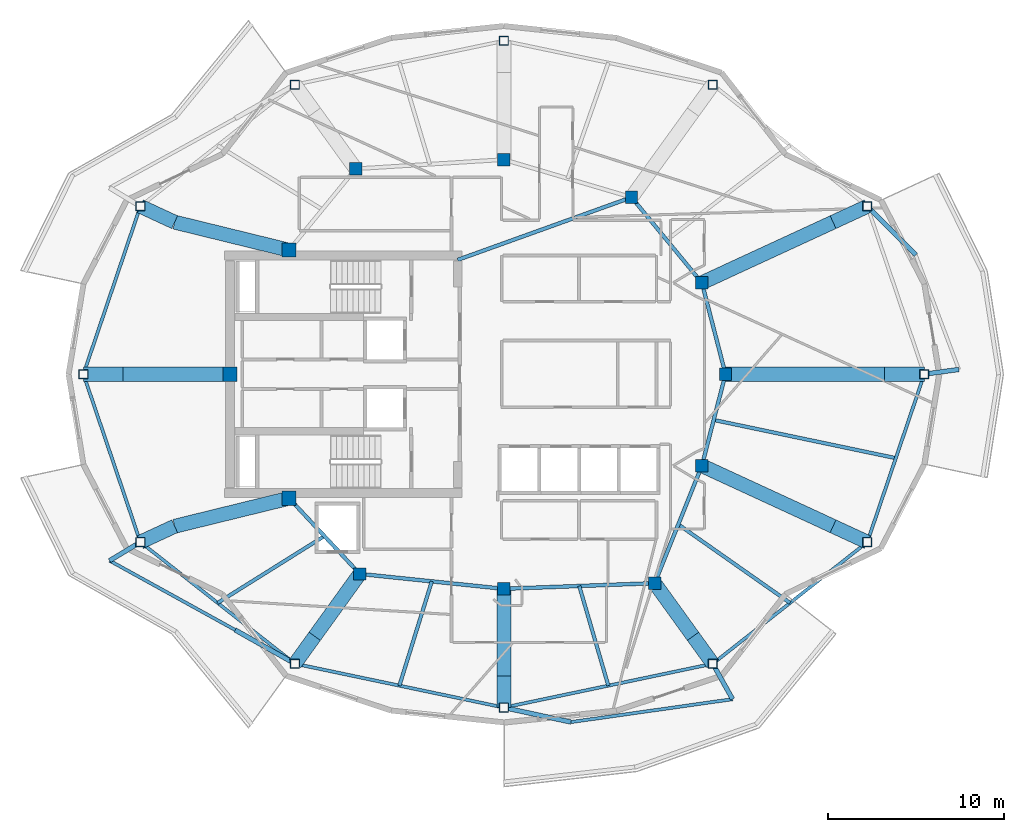
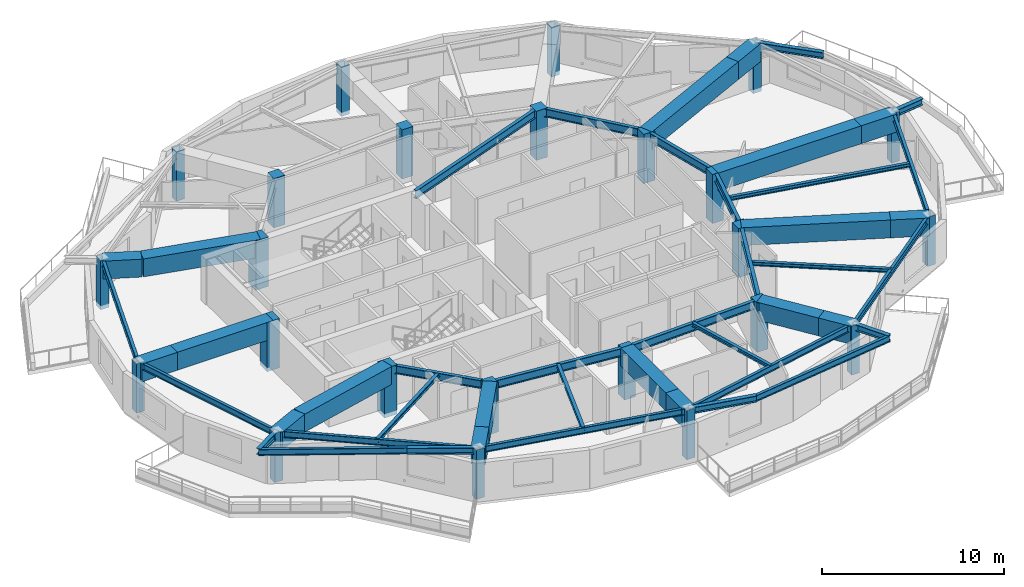
# One storey, part 1 of 11: 46 beams, 24 columns.
"""IFC4 building model written with IfcOpenShell, lengths in metres."""

from ifc_helpers import new_model, si_unit, direction, frame, origin, origin_2d, place, context, subcontext, project, spatial, rectangle, hollow_rectangle, i_section, extrude, material, material_profile, profile_set, type_object, element, save


model = new_model("IFC4")

# Units and contexts
model_context = context("Model", 3, precision=1e-05, world=origin(), true_north=direction((0.0, 1.0)))
body_context = subcontext(model_context, "Body", "Model", "MODEL_VIEW")
ifc_project = project(units=[si_unit("LENGTHUNIT", "METRE"), si_unit("AREAUNIT", "SQUARE_METRE"), si_unit("VOLUMEUNIT", "CUBIC_METRE"), si_unit("PLANEANGLEUNIT", "RADIAN"), si_unit("MASSUNIT", "GRAM", prefix="KILO")], contexts=[model_context])

# Site, building, storey
site_placement = place(None, origin())
site = spatial("IfcSite", under=ifc_project, at=site_placement, CompositionType="ELEMENT")
building_placement = place(site_placement, origin())
building = spatial("IfcBuilding", under=site, at=building_placement, Name="Kolvaren Gate Tower and Convention Centre", CompositionType="ELEMENT")
storey_placement = place(building_placement, frame((0.0, 0.0, 236.0)))
storey = spatial("IfcBuildingStorey", under=building, at=storey_placement, Name="L63", CompositionType="ELEMENT", Elevation=236.0)

# Columns
ifc_material_1 = material(Name="Structural steel ASTM A500 Grade C 345 MPa", Category="steel")
ifc_material_profile_1 = material_profile(ifc_material_1, hollow_rectangle(XDim=0.508056640625, YDim=0.508056640625, WallThickness=0.01904296875, at=origin_2d()), Name="HSS508X508X19.1")
ifc_profile_set_1 = profile_set([ifc_material_profile_1], Name="Structural steel ASTM A500 Grade C 345 MPa")
column_type_1 = type_object("IfcColumnType", Name="STR-COL-HSS508", PredefinedType="COLUMN", material=ifc_profile_set_1)
for number, where, z_axis, x_axis, name in (
    (1, (54.02490234375, 27.0, -0.27001953125), (0.0, 0.0, 1.0), (1.0, 0.0, 0.0), "Tower L63 Perimeter Supercolumn TP-01"),
    (2, (50.787353515625, 36.543701171875, -0.27001953125), (0.0, 0.0, 1.0), (1.0, 0.0, 0.0), "Tower L63 Perimeter Supercolumn TP-02"),
    (3, (42.002685546875, 43.4580078125, -0.27001953125), (0.0, 0.0, 1.0), (1.0, 0.0, 0.0), "Tower L63 Perimeter Supercolumn TP-03"),
    (4, (30.125, 45.949951171875, -0.27001953125), (0.0, 0.0, 1.0), (1.0, 0.0, 0.0), "Tower L63 Perimeter Supercolumn TP-04"),
    (5, (18.247314453125, 43.4580078125, -0.27001953125), (0.0, 0.0, 1.0), (1.0, 0.0, 0.0), "Tower L63 Perimeter Supercolumn TP-05"),
    (6, (9.462646484375, 36.543701171875, -0.27001953125), (0.0, 0.0, 1.0), (1.0, 0.0, 0.0), "Tower L63 Perimeter Supercolumn TP-06"),
    (7, (6.22509765625, 27.0, -0.27001953125), (0.0, 0.0, 1.0), (1.0, 0.0, 0.0), "Tower L63 Perimeter Supercolumn TP-07"),
    (8, (9.462646484375, 17.456298828125, -0.27001953125), (0.0, 0.0, 1.0), (1.0, 0.0, 0.0), "Tower L63 Perimeter Supercolumn TP-08"),
    (9, (18.247314453125, 10.5419921875, -0.27001953125), (0.0, 0.0, 1.0), (1.0, 0.0, 0.0), "Tower L63 Perimeter Supercolumn TP-09"),
    (10, (30.125, 8.050048828125, -0.27001953125), (0.0, 0.0, 1.0), (1.0, 0.0, 0.0), "Tower L63 Perimeter Supercolumn TP-10"),
    (11, (42.002685546875, 10.5419921875, -0.27001953125), (0.0, 0.0, 1.0), (1.0, 0.0, 0.0), "Tower L63 Perimeter Supercolumn TP-11"),
    (12, (50.787353515625, 17.456298828125, -0.27001953125), (0.0, 0.0, 1.0), (1.0, 0.0, 0.0), "Tower L63 Perimeter Supercolumn TP-12"),
):
    element("IfcColumn", number, at=place(storey_placement, frame(where, z_axis=z_axis, x_axis=x_axis)), inside=storey, type_object=column_type_1, Name=name, PredefinedType="COLUMN", context=body_context, shape_type="SweptSolid", body=[
        extrude(hollow_rectangle(XDim=0.508056640625, YDim=0.508056640625, WallThickness=0.01904296875, at=origin_2d()), origin(), (0.0, 0.0, 1.0), 3.300048828125),
    ])
ifc_material_2 = material(Name="Concrete C50/60", Category="concrete")
ifc_material_profile_2 = material_profile(ifc_material_2, rectangle(XDim=0.699951171875, YDim=0.699951171875, at=origin_2d()), Name="RC-COL-700X700")
ifc_profile_set_2 = profile_set([ifc_material_profile_2], Name="Concrete C50/60")
column_type_2 = type_object("IfcColumnType", Name="STR-COL-RC700", PredefinedType="COLUMN", material=ifc_profile_set_2)
for number, where, z_axis, x_axis, name in (
    (13, (42.72509765625, 27.0, -0.27001953125), (0.0, 0.0, 1.0), (1.0, 0.0, 0.0), "Tower L63 Interior Column TI-01"),
    (14, (41.382080078125, 32.199462890625, -0.27001953125), (0.0, 0.0, 1.0), (1.0, 0.0, 0.0), "Tower L63 Interior Column TI-02"),
    (15, (37.381591796875, 37.054931640625, -0.27001953125), (0.0, 0.0, 1.0), (1.0, 0.0, 0.0), "Tower L63 Interior Column TI-03"),
    (16, (30.125, 39.199951171875, -0.27001953125), (0.0, 0.0, 1.0), (1.0, 0.0, 0.0), "Tower L63 Interior Column TI-04"),
    (17, (21.697998046875, 38.6767578125, -0.27001953125), (0.0, 0.0, 1.0), (1.0, 0.0, 0.0), "Tower L63 Interior Column TI-05"),
    (18, (21.93212890625, 15.647705078125, -0.27001953125), (0.0, 0.0, 1.0), (1.0, 0.0, 0.0), "Tower L63 Interior Column TI-06"),
    (19, (30.125, 14.800048828125, -0.27001953125), (0.0, 0.0, 1.0), (1.0, 0.0, 0.0), "Tower L63 Interior Column TI-07"),
    (20, (38.6982421875, 15.12060546875, -0.27001953125), (0.0, 0.0, 1.0), (1.0, 0.0, 0.0), "Tower L63 Interior Column TI-08"),
    (21, (41.382080078125, 21.800537109375, -0.27001953125), (0.0, 0.0, 1.0), (1.0, 0.0, 0.0), "Tower L63 Interior Column TI-09"),
):
    element("IfcColumn", number, at=place(storey_placement, frame(where, z_axis=z_axis, x_axis=x_axis)), inside=storey, type_object=column_type_2, Name=name, PredefinedType="COLUMN", context=body_context, shape_type="SweptSolid", body=[
        extrude(rectangle(XDim=0.699951171875, YDim=0.699951171875, at=origin_2d()), origin(), (0.0, 0.0, 1.0), 3.300048828125),
    ])
ifc_material_3 = material(Name="Concrete C60/75", Category="concrete")
ifc_material_profile_3 = material_profile(ifc_material_3, rectangle(XDim=0.800048828125, YDim=0.800048828125, at=origin_2d()), Name="RC-COL-800X800")
ifc_profile_set_3 = profile_set([ifc_material_profile_3], Name="Concrete C60/75")
column_type_3 = type_object("IfcColumnType", Name="STR-PIL-RC800", PredefinedType="PILASTER", material=ifc_profile_set_3)
for number, where, z_axis, x_axis, name in (
    (22, (17.9140625, 34.050048828125, -0.27001953125), (0.0, 0.0, 1.0), (1.0, 0.0, 0.0), "Tower L63 Core Boundary Pilaster TC-05"),
    (23, (14.550048828125, 27.0, -0.27001953125), (0.0, 0.0, 1.0), (1.0, 0.0, 0.0), "Tower L63 Core Boundary Pilaster TC-06"),
    (24, (17.9140625, 19.949951171875, -0.27001953125), (0.0, 0.0, 1.0), (1.0, 0.0, 0.0), "Tower L63 Core Boundary Pilaster TC-07"),
):
    element("IfcColumn", number, at=place(storey_placement, frame(where, z_axis=z_axis, x_axis=x_axis)), inside=storey, type_object=column_type_3, Name=name, PredefinedType="PILASTER", context=body_context, shape_type="SweptSolid", body=[
        extrude(rectangle(XDim=0.800048828125, YDim=0.800048828125, at=origin_2d()), origin(), (0.0, 0.0, 1.0), 3.300048828125),
    ])

# Beams
ifc_material_4 = material(Name="Structural steel ASTM A992 Grade 345 MPa", Category="steel")
ifc_material_profile_4 = material_profile(ifc_material_4, i_section(OverallWidth=0.260009765625, OverallDepth=0.419921875, WebThickness=0.013427734375, FlangeThickness=0.0224609375, at=origin_2d()), Name="W410X132")
ifc_profile_set_4 = profile_set([ifc_material_profile_4], Name="Structural steel ASTM A992 Grade 345 MPa")
beam_type_1 = type_object("IfcBeamType", Name="STR-BM-W410X132", PredefinedType="BEAM", material=ifc_profile_set_4)
beam_1_placement = place(storey_placement, frame((9.462646484375, 17.456298828125, 2.820556640625), z_axis=(-0.856606413085, -0.515970399404, 0.0), x_axis=(0.515970399404, -0.856606413085, 0.0)))
element("IfcBeam", 25, at=beam_1_placement, inside=storey, type_object=beam_type_1, Name="Tower L64 Planted Balcony Outrigger Cantilever BC-2A", PredefinedType="BEAM", context=body_context, shape_type="SweptSolid", body=[
    extrude(i_section(OverallWidth=0.260009765625, OverallDepth=0.419921875, WebThickness=0.013427734375, FlangeThickness=0.0224609375, at=origin_2d()), origin(), (0.0, 0.0, 1.0), 2.044189453125),
])
for number, where, z_axis, x_axis, name in (
    (26, (18.247314453125, 10.5419921875, 2.820556640625), (-0.870602477688, 0.491987119591, 0.0), (-0.491987119591, -0.870602477688, 0.0), "Tower L64 Planted Balcony Outrigger Cantilever BC-2B"),
    (27, (30.125, 8.050048828125, 2.820556640625), (0.977317957634, -0.211777264327, 0.0), (0.211777264327, 0.977317957634, 0.0), "Tower L64 Planted Balcony Outrigger Cantilever BC-3A"),
):
    element("IfcBeam", number, at=place(storey_placement, frame(where, z_axis=z_axis, x_axis=x_axis)), inside=storey, type_object=beam_type_1, Name=name, PredefinedType="BEAM", context=body_context, shape_type="SweptSolid", body=[
        extrude(i_section(OverallWidth=0.260009765625, OverallDepth=0.419921875, WebThickness=0.013427734375, FlangeThickness=0.0224609375, at=origin_2d()), origin(), (0.0, 0.0, 1.0), 3.89990234375),
    ])
beam_2_placement = place(storey_placement, frame((42.002685546875, 10.5419921875, 2.820556640625), z_axis=(0.486639864816, -0.873602679696, 0.0), x_axis=(0.873602679696, 0.486639864816, 0.0)))
element("IfcBeam", 28, at=beam_2_placement, inside=storey, type_object=beam_type_1, Name="Tower L64 Planted Balcony Outrigger Cantilever BC-3B", PredefinedType="BEAM", context=body_context, shape_type="SweptSolid", body=[
    extrude(i_section(OverallWidth=0.260009765625, OverallDepth=0.419921875, WebThickness=0.013427734375, FlangeThickness=0.0224609375, at=origin_2d()), origin(), (0.0, 0.0, 1.0), 2.307373046875),
])
beam_3_placement = place(storey_placement, frame((54.02490234375, 27.0, 2.820556640625), z_axis=(0.990617109747, 0.13666653532, 0.0), x_axis=(-0.13666653532, 0.990617109747, 0.0)))
element("IfcBeam", 29, at=beam_3_placement, inside=storey, type_object=beam_type_1, Name="Tower L64 Planted Balcony Outrigger Cantilever BC-4A", PredefinedType="BEAM", context=body_context, shape_type="SweptSolid", body=[
    extrude(i_section(OverallWidth=0.260009765625, OverallDepth=0.419921875, WebThickness=0.013427734375, FlangeThickness=0.0224609375, at=origin_2d()), origin(), (0.0, 0.0, 1.0), 1.984619140625),
])
beam_4_placement = place(storey_placement, frame((50.787353515625, 36.543701171875, 2.820556640625), z_axis=(0.70541462065, -0.70879490191, 0.0), x_axis=(0.70879490191, 0.70541462065, 0.0)))
element("IfcBeam", 30, at=beam_4_placement, inside=storey, type_object=beam_type_1, Name="Tower L64 Planted Balcony Outrigger Cantilever BC-4B", PredefinedType="BEAM", context=body_context, shape_type="SweptSolid", body=[
    extrude(i_section(OverallWidth=0.260009765625, OverallDepth=0.419921875, WebThickness=0.013427734375, FlangeThickness=0.0224609375, at=origin_2d()), origin(), (0.0, 0.0, 1.0), 3.900146484375),
])
ifc_material_profile_5 = material_profile(ifc_material_4, i_section(OverallWidth=0.2119140625, OverallDepth=0.5439453125, WebThickness=0.01318359375, FlangeThickness=0.021240234375, at=origin_2d()), Name="W530X123")
ifc_profile_set_5 = profile_set([ifc_material_profile_5], Name="Structural steel ASTM A992 Grade 345 MPa")
beam_type_2 = type_object("IfcBeamType", Name="STR-BM-W530X123", PredefinedType="BEAM", material=ifc_profile_set_5)
beam_5_placement = place(storey_placement, frame((42.72509765625, 27.0, 2.758056640625), z_axis=(-0.250091133936, -0.968222301296, 0.0), x_axis=(0.968222301296, -0.250091133936, 0.0)))
element("IfcBeam", 31, at=beam_5_placement, inside=storey, type_object=beam_type_2, Name="Tower L63 Primary Ring Girder G-01", PredefinedType="BEAM", context=body_context, shape_type="SweptSolid", body=[
    extrude(i_section(OverallWidth=0.2119140625, OverallDepth=0.5439453125, WebThickness=0.01318359375, FlangeThickness=0.021240234375, at=origin_2d()), origin(), (0.0, 0.0, 1.0), 5.3701171875),
])
beam_6_placement = place(storey_placement, frame((41.382080078125, 32.199462890625, 2.758056640625), z_axis=(-0.635884066011, 0.771784590798, 0.0), x_axis=(-0.771784590798, -0.635884066011, 0.0)))
element("IfcBeam", 32, at=beam_6_placement, inside=storey, type_object=beam_type_2, Name="Tower L63 Primary Ring Girder G-02", PredefinedType="BEAM", context=body_context, shape_type="SweptSolid", body=[
    extrude(i_section(OverallWidth=0.2119140625, OverallDepth=0.5439453125, WebThickness=0.01318359375, FlangeThickness=0.021240234375, at=origin_2d()), origin(), (0.0, 0.0, 1.0), 6.291259765625),
])
beam_7_placement = place(storey_placement, frame((17.9140625, 19.949951171875, 2.758056640625), z_axis=(0.682557592987, -0.730831808459, 0.0), x_axis=(0.730831808459, 0.682557592987, 0.0)))
element("IfcBeam", 33, at=beam_7_placement, inside=storey, type_object=beam_type_2, Name="Tower L63 Primary Ring Girder G-06", PredefinedType="BEAM", context=body_context, shape_type="SweptSolid", body=[
    extrude(i_section(OverallWidth=0.2119140625, OverallDepth=0.5439453125, WebThickness=0.01318359375, FlangeThickness=0.021240234375, at=origin_2d()), origin(), (0.0, 0.0, 1.0), 5.88671875),
])
beam_8_placement = place(storey_placement, frame((21.93212890625, 15.647705078125, 2.758056640625), z_axis=(0.994690329115, -0.102913308978, 0.0), x_axis=(0.102913308978, 0.994690329115, 0.0)))
element("IfcBeam", 34, at=beam_8_placement, inside=storey, type_object=beam_type_2, Name="Tower L63 Primary Ring Girder G-07", PredefinedType="BEAM", context=body_context, shape_type="SweptSolid", body=[
    extrude(i_section(OverallWidth=0.2119140625, OverallDepth=0.5439453125, WebThickness=0.01318359375, FlangeThickness=0.021240234375, at=origin_2d()), origin(), (0.0, 0.0, 1.0), 8.236572265625),
])
beam_9_placement = place(storey_placement, frame((30.125, 14.800048828125, 2.758056640625), z_axis=(0.999301712453, 0.037364254142, 0.0), x_axis=(-0.037364254142, 0.999301712453, 0.0)))
element("IfcBeam", 35, at=beam_9_placement, inside=storey, type_object=beam_type_2, Name="Tower L63 Primary Ring Girder G-08", PredefinedType="BEAM", context=body_context, shape_type="SweptSolid", body=[
    extrude(i_section(OverallWidth=0.2119140625, OverallDepth=0.5439453125, WebThickness=0.01318359375, FlangeThickness=0.021240234375, at=origin_2d()), origin(), (0.0, 0.0, 1.0), 8.579345703125),
])
beam_10_placement = place(storey_placement, frame((38.6982421875, 15.12060546875, 2.758056640625), z_axis=(0.372811100169, 0.927907260232, 0.0), x_axis=(-0.927907260232, 0.372811100169, 0.0)))
element("IfcBeam", 36, at=beam_10_placement, inside=storey, type_object=beam_type_2, Name="Tower L63 Primary Ring Girder G-09", PredefinedType="BEAM", context=body_context, shape_type="SweptSolid", body=[
    extrude(i_section(OverallWidth=0.2119140625, OverallDepth=0.5439453125, WebThickness=0.01318359375, FlangeThickness=0.021240234375, at=origin_2d()), origin(), (0.0, 0.0, 1.0), 7.198974609375),
])
beam_11_placement = place(storey_placement, frame((27.5, 33.5, 2.758056640625), z_axis=(0.940961479908, 0.338513653093, 0.0), x_axis=(-0.338513653093, 0.940961479908, 0.0)))
element("IfcBeam", 37, at=beam_11_placement, inside=storey, type_object=beam_type_2, Name="Tower L63 Primary Ring Girder G-10", PredefinedType="BEAM", context=body_context, shape_type="SweptSolid", body=[
    extrude(i_section(OverallWidth=0.2119140625, OverallDepth=0.5439453125, WebThickness=0.01318359375, FlangeThickness=0.021240234375, at=origin_2d()), origin(), (0.0, 0.0, 1.0), 10.501708984375),
])
beam_12_placement = place(storey_placement, frame((42.72509765625, 27.0, 2.758056640625), z_axis=(-0.250091133936, 0.968222301296, 0.0), x_axis=(-0.968222301296, -0.250091133936, 0.0)))
element("IfcBeam", 38, at=beam_12_placement, inside=storey, type_object=beam_type_2, Name="Tower L63 Primary Ring Girder G-12", PredefinedType="BEAM", context=body_context, shape_type="SweptSolid", body=[
    extrude(i_section(OverallWidth=0.2119140625, OverallDepth=0.5439453125, WebThickness=0.01318359375, FlangeThickness=0.021240234375, at=origin_2d()), origin(), (0.0, 0.0, 1.0), 5.3701171875),
])
ifc_material_profile_6 = material_profile(ifc_material_4, i_section(OverallWidth=0.202880859375, OverallDepth=0.251953125, WebThickness=0.008056640625, FlangeThickness=0.013427734375, at=origin_2d()), Name="W250X58")
ifc_profile_set_6 = profile_set([ifc_material_profile_6], Name="Structural steel ASTM A992 Grade 345 MPa")
beam_type_3 = type_object("IfcBeamType", Name="STR-JS-W250X58", PredefinedType="JOIST", material=ifc_profile_set_6)
beam_13_placement = place(storey_placement, frame((19.923095703125, 17.798828125, 2.904052734375), z_axis=(-0.847559309278, -0.530700685186, 0.0), x_axis=(0.530700685186, -0.847559309278, 0.0)))
element("IfcBeam", 39, at=beam_13_placement, inside=storey, type_object=beam_type_3, Name="Tower L63 Secondary Composite Floor Joist J-08.1", PredefinedType="JOIST", context=body_context, shape_type="SweptSolid", body=[
    extrude(i_section(OverallWidth=0.202880859375, OverallDepth=0.251953125, WebThickness=0.008056640625, FlangeThickness=0.013427734375, at=origin_2d()), origin(), (0.0, 0.0, 1.0), 7.159423828125),
])
beam_14_placement = place(storey_placement, frame((26.028564453125, 15.223876953125, 2.904052734375), z_axis=(-0.296776485487, -0.954946971126, 0.0), x_axis=(0.954946971126, -0.296776485487, 0.0)))
element("IfcBeam", 40, at=beam_14_placement, inside=storey, type_object=beam_type_3, Name="Tower L63 Secondary Composite Floor Joist J-09.1", PredefinedType="JOIST", context=body_context, shape_type="SweptSolid", body=[
    extrude(i_section(OverallWidth=0.202880859375, OverallDepth=0.251953125, WebThickness=0.008056640625, FlangeThickness=0.013427734375, at=origin_2d()), origin(), (0.0, 0.0, 1.0), 6.207763671875),
])
beam_15_placement = place(storey_placement, frame((34.41162109375, 14.960205078125, 2.904052734375), z_axis=(0.280001588896, -0.959999536571, 0.0), x_axis=(0.959999536571, 0.280001588896, 0.0)))
element("IfcBeam", 41, at=beam_15_placement, inside=storey, type_object=beam_type_3, Name="Tower L63 Secondary Composite Floor Joist J-10.1", PredefinedType="JOIST", context=body_context, shape_type="SweptSolid", body=[
    extrude(i_section(OverallWidth=0.202880859375, OverallDepth=0.251953125, WebThickness=0.008056640625, FlangeThickness=0.013427734375, at=origin_2d()), origin(), (0.0, 0.0, 1.0), 5.900390625),
])
beam_16_placement = place(storey_placement, frame((40.040283203125, 18.46044921875, 2.904052734375), z_axis=(0.81845266589, -0.574573958423, 0.0), x_axis=(0.574573958423, 0.81845266589, 0.0)))
element("IfcBeam", 42, at=beam_16_placement, inside=storey, type_object=beam_type_3, Name="Tower L63 Secondary Composite Floor Joist J-11.1", PredefinedType="JOIST", context=body_context, shape_type="SweptSolid", body=[
    extrude(i_section(OverallWidth=0.202880859375, OverallDepth=0.251953125, WebThickness=0.008056640625, FlangeThickness=0.013427734375, at=origin_2d()), origin(), (0.0, 0.0, 1.0), 7.764404296875),
])
beam_17_placement = place(storey_placement, frame((42.0537109375, 24.400146484375, 2.904052734375), z_axis=(0.978694513543, -0.205321818519, 0.0), x_axis=(0.205321818519, 0.978694513543, 0.0)))
element("IfcBeam", 43, at=beam_17_placement, inside=storey, type_object=beam_type_3, Name="Tower L63 Secondary Composite Floor Joist J-12.1", PredefinedType="JOIST", context=body_context, shape_type="SweptSolid", body=[
    extrude(i_section(OverallWidth=0.202880859375, OverallDepth=0.251953125, WebThickness=0.008056640625, FlangeThickness=0.013427734375, at=origin_2d()), origin(), (0.0, 0.0, 1.0), 10.577880859375),
])
ifc_material_profile_7 = material_profile(ifc_material_4, i_section(OverallWidth=0.180908203125, OverallDepth=0.4169921875, WebThickness=0.010986328125, FlangeThickness=0.018310546875, at=origin_2d()), Name="W410X85")
ifc_profile_set_7 = profile_set([ifc_material_profile_7], Name="Structural steel ASTM A992 Grade 345 MPa")
beam_type_4 = type_object("IfcBeamType", Name="STR-SP-W410X85", PredefinedType="SPANDREL", material=ifc_profile_set_7)
for number, where, z_axis, x_axis, name in (
    (44, (9.462646484375, 36.543701171875, 2.821533203125), (-0.321252507379, -0.946993572577, 0.0), (0.946993572577, -0.321252507379, 0.0), "Tower L63 Perimeter Spandrel Beam SP-06"),
    (45, (6.22509765625, 27.0, 2.821533203125), (0.321252507379, -0.946993572577, 0.0), (0.946993572577, 0.321252507379, 0.0), "Tower L63 Perimeter Spandrel Beam SP-07"),
):
    element("IfcBeam", number, at=place(storey_placement, frame(where, z_axis=z_axis, x_axis=x_axis)), inside=storey, type_object=beam_type_4, Name=name, PredefinedType="SPANDREL", context=body_context, shape_type="SweptSolid", body=[
        extrude(i_section(OverallWidth=0.180908203125, OverallDepth=0.4169921875, WebThickness=0.010986328125, FlangeThickness=0.018310546875, at=origin_2d()), origin(), (0.0, 0.0, 1.0), 10.077880859375),
    ])
beam_18_placement = place(storey_placement, frame((9.462646484375, 17.456298828125, 2.821533203125), z_axis=(0.78579365551, -0.618488747643, 0.0), x_axis=(0.618488747643, 0.78579365551, 0.0)))
element("IfcBeam", 46, at=beam_18_placement, inside=storey, type_object=beam_type_4, Name="Tower L63 Perimeter Spandrel Beam SP-08", PredefinedType="SPANDREL", context=body_context, shape_type="SweptSolid", body=[
    extrude(i_section(OverallWidth=0.180908203125, OverallDepth=0.4169921875, WebThickness=0.010986328125, FlangeThickness=0.018310546875, at=origin_2d()), origin(), (0.0, 0.0, 1.0), 11.179443359375),
])
for number, where, z_axis, x_axis, name in (
    (47, (18.247314453125, 10.5419921875, 2.821533203125), (0.978692765917, -0.205330148645, 0.0), (0.205330148645, 0.978692765917, 0.0), "Tower L63 Perimeter Spandrel Beam SP-09"),
    (48, (30.125, 8.050048828125, 2.821533203125), (0.978692765917, 0.205330148645, 0.0), (-0.205330148645, 0.978692765917, 0.0), "Tower L63 Perimeter Spandrel Beam SP-10"),
):
    element("IfcBeam", number, at=place(storey_placement, frame(where, z_axis=z_axis, x_axis=x_axis)), inside=storey, type_object=beam_type_4, Name=name, PredefinedType="SPANDREL", context=body_context, shape_type="SweptSolid", body=[
        extrude(i_section(OverallWidth=0.180908203125, OverallDepth=0.4169921875, WebThickness=0.010986328125, FlangeThickness=0.018310546875, at=origin_2d()), origin(), (0.0, 0.0, 1.0), 12.13623046875),
    ])
beam_19_placement = place(storey_placement, frame((42.002685546875, 10.5419921875, 2.821533203125), z_axis=(0.78579365551, 0.618488747643, 0.0), x_axis=(-0.618488747643, 0.78579365551, 0.0)))
element("IfcBeam", 49, at=beam_19_placement, inside=storey, type_object=beam_type_4, Name="Tower L63 Perimeter Spandrel Beam SP-11", PredefinedType="SPANDREL", context=body_context, shape_type="SweptSolid", body=[
    extrude(i_section(OverallWidth=0.180908203125, OverallDepth=0.4169921875, WebThickness=0.010986328125, FlangeThickness=0.018310546875, at=origin_2d()), origin(), (0.0, 0.0, 1.0), 11.179443359375),
])
beam_20_placement = place(storey_placement, frame((50.787353515625, 17.456298828125, 2.821533203125), z_axis=(0.321252507379, 0.946993572577, 0.0), x_axis=(-0.946993572577, 0.321252507379, 0.0)))
element("IfcBeam", 50, at=beam_20_placement, inside=storey, type_object=beam_type_4, Name="Tower L63 Perimeter Spandrel Beam SP-12", PredefinedType="SPANDREL", context=body_context, shape_type="SweptSolid", body=[
    extrude(i_section(OverallWidth=0.180908203125, OverallDepth=0.4169921875, WebThickness=0.010986328125, FlangeThickness=0.018310546875, at=origin_2d()), origin(), (0.0, 0.0, 1.0), 10.077880859375),
])
beam_21_placement = place(storey_placement, frame((7.711669921875, 16.401611328125, 2.822021484375), z_axis=(0.8755051974, -0.483208701625, 0.0), x_axis=(0.483208701625, 0.8755051974, 0.0)))
element("IfcBeam", 51, at=beam_21_placement, inside=storey, type_object=beam_type_4, Name="Tower L64 Planted Balcony Header Tie Beam BT-2", PredefinedType="SPANDREL", context=body_context, shape_type="SweptSolid", body=[
    extrude(i_section(OverallWidth=0.180908203125, OverallDepth=0.4169921875, WebThickness=0.010986328125, FlangeThickness=0.018310546875, at=origin_2d()), origin(), (0.0, 0.0, 1.0), 8.15576171875),
])
beam_22_placement = place(storey_placement, frame((33.9365234375, 7.22412109375, 2.822021484375), z_axis=(0.99010671335, 0.140316414502, 0.0), x_axis=(-0.140316414502, 0.99010671335, 0.0)))
element("IfcBeam", 52, at=beam_22_placement, inside=storey, type_object=beam_type_4, Name="Tower L64 Planted Balcony Header Tie Beam BT-3", PredefinedType="SPANDREL", context=body_context, shape_type="SweptSolid", body=[
    extrude(i_section(OverallWidth=0.180908203125, OverallDepth=0.4169921875, WebThickness=0.010986328125, FlangeThickness=0.018310546875, at=origin_2d()), origin(), (0.0, 0.0, 1.0), 9.28076171875),
])
ifc_material_5 = material(Name="Concrete C70/85", Category="concrete")
ifc_material_profile_8 = material_profile(ifc_material_5, rectangle(XDim=0.800048828125, YDim=1.199951171875, at=origin_2d()), Name="RC-BM-800X1200")
ifc_profile_set_8 = profile_set([ifc_material_profile_8], Name="Concrete C70/85")
beam_type_5 = type_object("IfcBeamType", Name="STR-TG-RC800X1200", PredefinedType="USERDEFINED", material=ifc_profile_set_8)
beam_23_placement = place(storey_placement, frame((42.72509765625, 27.0, 2.430419921875), z_axis=(1.0, 0.0, 0.0), x_axis=(0.0, 1.0, 0.0)))
element("IfcBeam", 53, at=beam_23_placement, inside=storey, type_object=beam_type_5, Name="Tower L63 Zone-Transition Radial Transfer Girder XFG-01A", ObjectType="TRANSFER GIRDER", PredefinedType="USERDEFINED", context=body_context, shape_type="SweptSolid", body=[
    extrude(rectangle(XDim=0.800048828125, YDim=1.199951171875, at=origin_2d()), origin(), (0.0, 0.0, 1.0), 9.0498046875),
])
beam_24_placement = place(storey_placement, frame((51.77490234375, 27.0, 2.430419921875), z_axis=(1.0, 0.0, 0.0), x_axis=(0.0, 1.0, 0.0)))
element("IfcBeam", 54, at=beam_24_placement, inside=storey, type_object=beam_type_5, Name="Tower L63 Zone-Transition Radial Transfer Girder XFG-01B", ObjectType="TRANSFER GIRDER", PredefinedType="USERDEFINED", context=body_context, shape_type="SweptSolid", body=[
    extrude(rectangle(XDim=0.800048828125, YDim=1.199951171875, at=origin_2d()), origin(), (0.0, 0.0, 1.0), 2.25),
])
beam_25_placement = place(storey_placement, frame((41.382080078125, 32.199462890625, 2.430419921875), z_axis=(0.907843645886, 0.419308853502, 0.0), x_axis=(-0.419308853502, 0.907843645886, 0.0)))
element("IfcBeam", 55, at=beam_25_placement, inside=storey, type_object=beam_type_5, Name="Tower L63 Zone-Transition Radial Transfer Girder XFG-02A", ObjectType="TRANSFER GIRDER", PredefinedType="USERDEFINED", context=body_context, shape_type="SweptSolid", body=[
    extrude(rectangle(XDim=0.800048828125, YDim=1.199951171875, at=origin_2d()), origin(), (0.0, 0.0, 1.0), 8.213623046875),
])
beam_26_placement = place(storey_placement, frame((48.8388671875, 35.6435546875, 2.430419921875), z_axis=(0.907809514231, 0.419382743888, 0.0), x_axis=(-0.419382743888, 0.907809514231, 0.0)))
element("IfcBeam", 56, at=beam_26_placement, inside=storey, type_object=beam_type_5, Name="Tower L63 Zone-Transition Radial Transfer Girder XFG-02B", ObjectType="TRANSFER GIRDER", PredefinedType="USERDEFINED", context=body_context, shape_type="SweptSolid", body=[
    extrude(rectangle(XDim=0.800048828125, YDim=1.199951171875, at=origin_2d()), origin(), (0.0, 0.0, 1.0), 2.146240234375),
])
beam_27_placement = place(storey_placement, frame((17.9140625, 34.050048828125, 2.430419921875), z_axis=(-0.971264462968, 0.238002821362, 0.0), x_axis=(-0.238002821362, -0.971264462968, 0.0)))
element("IfcBeam", 57, at=beam_27_placement, inside=storey, type_object=beam_type_5, Name="Tower L63 Zone-Transition Radial Transfer Girder XFG-06A", ObjectType="TRANSFER GIRDER", PredefinedType="USERDEFINED", context=body_context, shape_type="SweptSolid", body=[
    extrude(rectangle(XDim=0.800048828125, YDim=1.199951171875, at=origin_2d()), origin(), (0.0, 0.0, 1.0), 6.6953125),
])
beam_28_placement = place(storey_placement, frame((11.4111328125, 35.6435546875, 2.430419921875), z_axis=(-0.907809514231, 0.419382743888, 0.0), x_axis=(-0.419382743888, -0.907809514231, 0.0)))
element("IfcBeam", 58, at=beam_28_placement, inside=storey, type_object=beam_type_5, Name="Tower L63 Zone-Transition Radial Transfer Girder XFG-06B", ObjectType="TRANSFER GIRDER", PredefinedType="USERDEFINED", context=body_context, shape_type="SweptSolid", body=[
    extrude(rectangle(XDim=0.800048828125, YDim=1.199951171875, at=origin_2d()), origin(), (0.0, 0.0, 1.0), 2.146240234375),
])
beam_29_placement = place(storey_placement, frame((14.550048828125, 27.0, 2.430419921875), z_axis=(-1.0, 0.0, 0.0), x_axis=(0.0, -1.0, 0.0)))
element("IfcBeam", 59, at=beam_29_placement, inside=storey, type_object=beam_type_5, Name="Tower L63 Zone-Transition Radial Transfer Girder XFG-07A", ObjectType="TRANSFER GIRDER", PredefinedType="USERDEFINED", context=body_context, shape_type="SweptSolid", body=[
    extrude(rectangle(XDim=0.800048828125, YDim=1.199951171875, at=origin_2d()), origin(), (0.0, 0.0, 1.0), 6.074951171875),
])
beam_30_placement = place(storey_placement, frame((8.47509765625, 27.0, 2.430419921875), z_axis=(-1.0, 0.0, 0.0), x_axis=(0.0, -1.0, 0.0)))
element("IfcBeam", 60, at=beam_30_placement, inside=storey, type_object=beam_type_5, Name="Tower L63 Zone-Transition Radial Transfer Girder XFG-07B", ObjectType="TRANSFER GIRDER", PredefinedType="USERDEFINED", context=body_context, shape_type="SweptSolid", body=[
    extrude(rectangle(XDim=0.800048828125, YDim=1.199951171875, at=origin_2d()), origin(), (0.0, 0.0, 1.0), 2.25),
])
beam_31_placement = place(storey_placement, frame((17.9140625, 19.949951171875, 2.430419921875), z_axis=(-0.971264462968, -0.238002821362, 0.0), x_axis=(0.238002821362, -0.971264462968, 0.0)))
element("IfcBeam", 61, at=beam_31_placement, inside=storey, type_object=beam_type_5, Name="Tower L63 Zone-Transition Radial Transfer Girder XFG-08A", ObjectType="TRANSFER GIRDER", PredefinedType="USERDEFINED", context=body_context, shape_type="SweptSolid", body=[
    extrude(rectangle(XDim=0.800048828125, YDim=1.199951171875, at=origin_2d()), origin(), (0.0, 0.0, 1.0), 6.6953125),
])
beam_32_placement = place(storey_placement, frame((11.4111328125, 18.3564453125, 2.430419921875), z_axis=(-0.907809514231, -0.419382743888, 0.0), x_axis=(0.419382743888, -0.907809514231, 0.0)))
element("IfcBeam", 62, at=beam_32_placement, inside=storey, type_object=beam_type_5, Name="Tower L63 Zone-Transition Radial Transfer Girder XFG-08B", ObjectType="TRANSFER GIRDER", PredefinedType="USERDEFINED", context=body_context, shape_type="SweptSolid", body=[
    extrude(rectangle(XDim=0.800048828125, YDim=1.199951171875, at=origin_2d()), origin(), (0.0, 0.0, 1.0), 2.146240234375),
])
beam_33_placement = place(storey_placement, frame((21.93212890625, 15.647705078125, 2.430419921875), z_axis=(-0.585217447343, -0.810876402003, 0.0), x_axis=(0.810876402003, -0.585217447343, 0.0)))
element("IfcBeam", 63, at=beam_33_placement, inside=storey, type_object=beam_type_5, Name="Tower L63 Zone-Transition Radial Transfer Girder XFG-09A", ObjectType="TRANSFER GIRDER", PredefinedType="USERDEFINED", context=body_context, shape_type="SweptSolid", body=[
    extrude(rectangle(XDim=0.800048828125, YDim=1.199951171875, at=origin_2d()), origin(), (0.0, 0.0, 1.0), 4.3740234375),
])
beam_34_placement = place(storey_placement, frame((19.372314453125, 12.100830078125, 2.430419921875), z_axis=(-0.585207670307, -0.810883458096, 0.0), x_axis=(0.810883458096, -0.585207670307, 0.0)))
element("IfcBeam", 64, at=beam_34_placement, inside=storey, type_object=beam_type_5, Name="Tower L63 Zone-Transition Radial Transfer Girder XFG-09B", ObjectType="TRANSFER GIRDER", PredefinedType="USERDEFINED", context=body_context, shape_type="SweptSolid", body=[
    extrude(rectangle(XDim=0.800048828125, YDim=1.199951171875, at=origin_2d()), origin(), (0.0, 0.0, 1.0), 1.92236328125),
])
beam_35_placement = place(storey_placement, frame((30.125, 14.800048828125, 2.430419921875), z_axis=(0.0, -1.0, 0.0), x_axis=(1.0, 0.0, 0.0)))
element("IfcBeam", 65, at=beam_35_placement, inside=storey, type_object=beam_type_5, Name="Tower L63 Zone-Transition Radial Transfer Girder XFG-10A", ObjectType="TRANSFER GIRDER", PredefinedType="USERDEFINED", context=body_context, shape_type="SweptSolid", body=[
    extrude(rectangle(XDim=0.800048828125, YDim=1.199951171875, at=origin_2d()), origin(), (0.0, 0.0, 1.0), 4.949951171875),
])
beam_36_placement = place(storey_placement, frame((30.125, 9.85009765625, 2.430419921875), z_axis=(0.0, -1.0, 0.0), x_axis=(1.0, 0.0, 0.0)))
element("IfcBeam", 66, at=beam_36_placement, inside=storey, type_object=beam_type_5, Name="Tower L63 Zone-Transition Radial Transfer Girder XFG-10B", ObjectType="TRANSFER GIRDER", PredefinedType="USERDEFINED", context=body_context, shape_type="SweptSolid", body=[
    extrude(rectangle(XDim=0.800048828125, YDim=1.199951171875, at=origin_2d()), origin(), (0.0, 0.0, 1.0), 1.800048828125),
])
beam_37_placement = place(storey_placement, frame((38.6982421875, 15.12060546875, 2.430419921875), z_axis=(0.58522483817, -0.81087106792, 0.0), x_axis=(0.81087106792, 0.58522483817, 0.0)))
element("IfcBeam", 67, at=beam_37_placement, inside=storey, type_object=beam_type_5, Name="Tower L63 Zone-Transition Radial Transfer Girder XFG-11A", ObjectType="TRANSFER GIRDER", PredefinedType="USERDEFINED", context=body_context, shape_type="SweptSolid", body=[
    extrude(rectangle(XDim=0.800048828125, YDim=1.199951171875, at=origin_2d()), origin(), (0.0, 0.0, 1.0), 3.72412109375),
])
beam_38_placement = place(storey_placement, frame((40.877685546875, 12.100830078125, 2.430419921875), z_axis=(0.585207670307, -0.810883458096, 0.0), x_axis=(0.810883458096, 0.585207670307, 0.0)))
element("IfcBeam", 68, at=beam_38_placement, inside=storey, type_object=beam_type_5, Name="Tower L63 Zone-Transition Radial Transfer Girder XFG-11B", ObjectType="TRANSFER GIRDER", PredefinedType="USERDEFINED", context=body_context, shape_type="SweptSolid", body=[
    extrude(rectangle(XDim=0.800048828125, YDim=1.199951171875, at=origin_2d()), origin(), (0.0, 0.0, 1.0), 1.92236328125),
])
beam_39_placement = place(storey_placement, frame((41.382080078125, 21.800537109375, 2.430419921875), z_axis=(0.907843645886, -0.419308853502, 0.0), x_axis=(0.419308853502, 0.907843645886, 0.0)))
element("IfcBeam", 69, at=beam_39_placement, inside=storey, type_object=beam_type_5, Name="Tower L63 Zone-Transition Radial Transfer Girder XFG-12A", ObjectType="TRANSFER GIRDER", PredefinedType="USERDEFINED", context=body_context, shape_type="SweptSolid", body=[
    extrude(rectangle(XDim=0.800048828125, YDim=1.199951171875, at=origin_2d()), origin(), (0.0, 0.0, 1.0), 8.213623046875),
])
beam_40_placement = place(storey_placement, frame((48.8388671875, 18.3564453125, 2.430419921875), z_axis=(0.907809514231, -0.419382743888, 0.0), x_axis=(0.419382743888, 0.907809514231, 0.0)))
element("IfcBeam", 70, at=beam_40_placement, inside=storey, type_object=beam_type_5, Name="Tower L63 Zone-Transition Radial Transfer Girder XFG-12B", ObjectType="TRANSFER GIRDER", PredefinedType="USERDEFINED", context=body_context, shape_type="SweptSolid", body=[
    extrude(rectangle(XDim=0.800048828125, YDim=1.199951171875, at=origin_2d()), origin(), (0.0, 0.0, 1.0), 2.146240234375),
])

save(model, "model.ifc")
